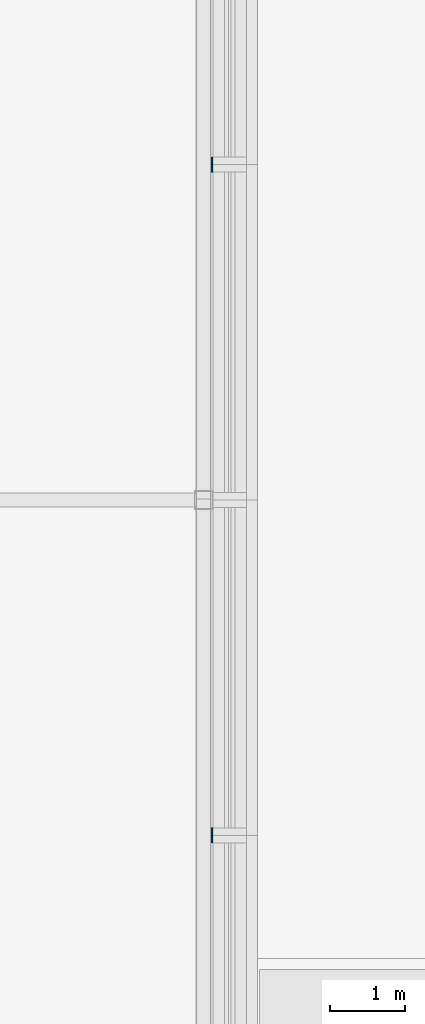
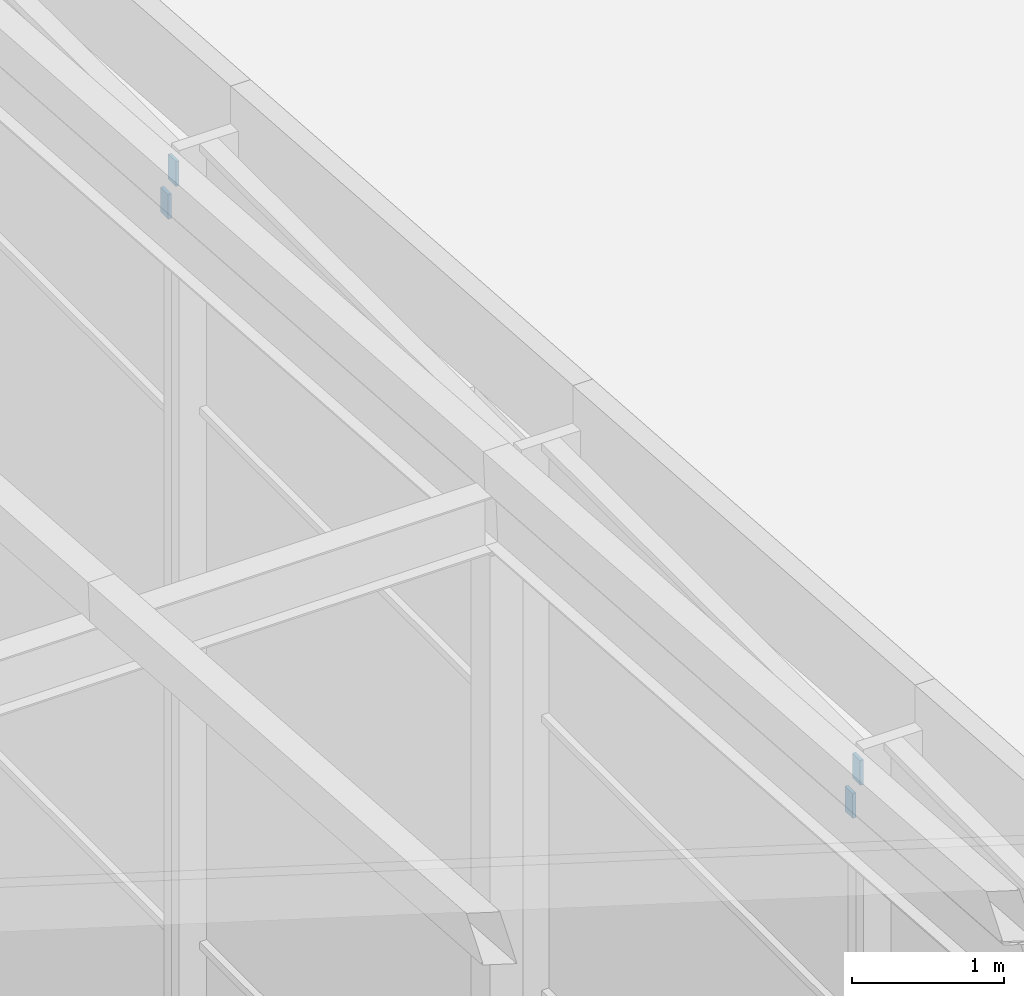
# One storey, part 77 of 84: 4 discrete accessories.
"""IFC4 building model written with IfcOpenShell, lengths in metres."""

from ifc_helpers import new_model, si_unit, direction, frame, origin, origin_2d, place, context, subcontext, project, spatial, rectangle, extrude, material, type_object, element, save


model = new_model("IFC4")

# Units and contexts
model_context = context("Model", 3, precision=1e-05, world=origin(), true_north=direction((0.0, 1.0)))
body_context = subcontext(model_context, "Body", "Model", "MODEL_VIEW")
ifc_project = project(units=[si_unit("LENGTHUNIT", "METRE"), si_unit("AREAUNIT", "SQUARE_METRE"), si_unit("VOLUMEUNIT", "CUBIC_METRE"), si_unit("PLANEANGLEUNIT", "RADIAN"), si_unit("MASSUNIT", "GRAM", prefix="KILO")], contexts=[model_context])

# Site, building, storey
site_placement = place(None, origin())
site = spatial("IfcSite", under=ifc_project, at=site_placement, CompositionType="ELEMENT")
building_placement = place(site_placement, origin())
building = spatial("IfcBuilding", under=site, at=building_placement, Name="Silverbay Arena", CompositionType="ELEMENT")
storey_placement = place(building_placement, frame((0.0, 0.0, 47.10009765625)))
storey = spatial("IfcBuildingStorey", under=building, at=storey_placement, Name="ROOF", CompositionType="ELEMENT", Elevation=47.10009765625)

# Discrete accessories
ifc_material = material(Name="Steel S355", Category="steel")
discrete_accessory_type = type_object("IfcDiscreteAccessoryType", Name="Steel bracket plate", PredefinedType="BRACKET", material=ifc_material)
for number, where, z_axis, x_axis, name in (
    (1, (180.112548828125, 94.449951171875, 11.544921875), (0.0, 0.0, 1.0), (1.0, 0.0, 0.0), "Curtain wall packing plate"),
    (2, (180.112548828125, 94.550048828125, 11.2197265625), (0.0, 0.0, 1.0), (1.0, 0.0, 0.0), "Curtain wall packing plate"),
    (3, (180.112548828125, 103.449951171875, 10.89501953125), (0.0, 0.0, 1.0), (1.0, 0.0, 0.0), "Curtain wall packing plate"),
    (4, (180.112548828125, 103.550048828125, 10.56982421875), (0.0, 0.0, 1.0), (1.0, 0.0, 0.0), "Curtain wall packing plate"),
):
    element("IfcDiscreteAccessory", number, at=place(storey_placement, frame(where, z_axis=z_axis, x_axis=x_axis)), inside=storey, type_object=discrete_accessory_type, Name=name, PredefinedType="BRACKET", context=body_context, shape_type="SweptSolid", body=[
        extrude(rectangle(XDim=0.02490234375, YDim=0.10009765625, at=origin_2d()), origin(), (0.0, 0.0, 1.0), 0.199951171875),
    ])

save(model, "model.ifc")
